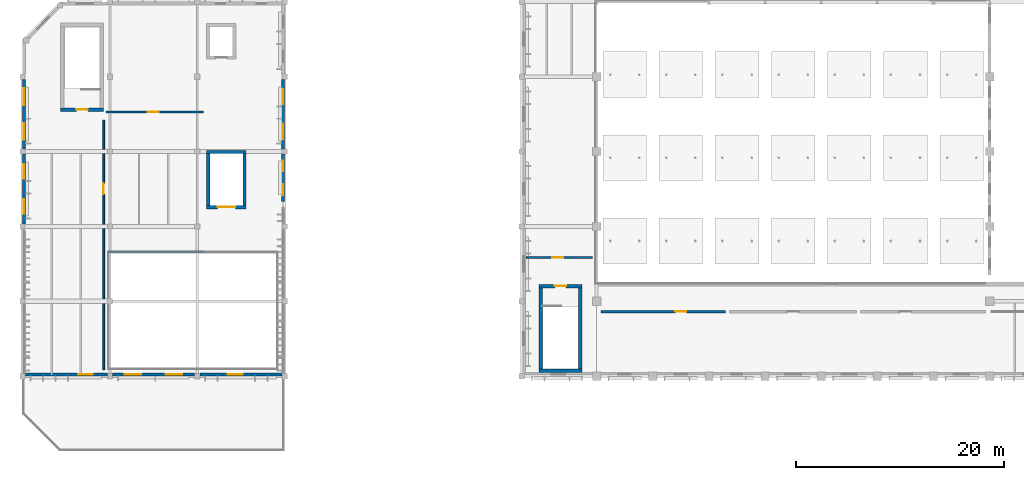
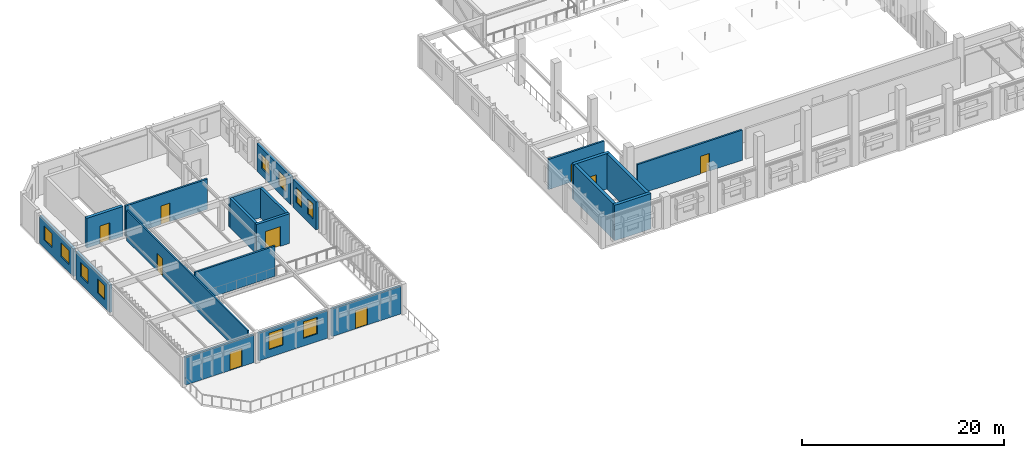
# One storey, part 19 of 44: 21 walls, 10 windows, 9 doors, 19 openings.
"""IFC4 building model written with IfcOpenShell, lengths in metres."""

from ifc_helpers import new_model, si_unit, direction, frame, frame_2d, origin, place, context, subcontext, project, spatial, rectangle, extrude, material, layer, layer_set, type_object, element, fill, save


model = new_model("IFC4")

# Units and contexts
model_context = context("Model", 3, precision=1e-05, world=origin(), true_north=direction((0.0, 1.0)))
body_context = subcontext(model_context, "Body", "Model", "MODEL_VIEW")
ifc_project = project(units=[si_unit("LENGTHUNIT", "METRE"), si_unit("AREAUNIT", "SQUARE_METRE"), si_unit("VOLUMEUNIT", "CUBIC_METRE"), si_unit("PLANEANGLEUNIT", "RADIAN"), si_unit("MASSUNIT", "GRAM", prefix="KILO")], contexts=[model_context])

# Site, building, storey
site_placement = place(None, origin())
site = spatial("IfcSite", under=ifc_project, at=site_placement, CompositionType="ELEMENT")
building_placement = place(site_placement, origin())
building = spatial("IfcBuilding", under=site, at=building_placement, Name="Tazoul Stagehouse", CompositionType="ELEMENT")
storey_placement = place(building_placement, frame((0.0, 0.0, 13.199951171875)))
storey = spatial("IfcBuildingStorey", under=building, at=storey_placement, Name="L03", CompositionType="ELEMENT", Elevation=13.199951171875)

# Walls
ifc_material_1 = material(Name="Concrete C40/50", Category="concrete")
ifc_layer_1 = layer(ifc_material_1, 0.35009765625, Name="Concrete C40/50")
ifc_layer_set_1 = layer_set([ifc_layer_1], Name="Concrete C40/50")
wall_type_1 = type_object("IfcWallType", Name="Core Shear Wall 350", PredefinedType="SOLIDWALL", material=ifc_layer_set_1)
wall_1_placement = place(storey_placement, frame((56.199951171875, 52.31494140625, 0.0), z_axis=(0.0, 0.0, 1.0), x_axis=(-1.0, 0.0, 0.0)))
element("IfcWall", 1, at=wall_1_placement, inside=storey, type_object=wall_type_1, Name="L03 Core Wall CW-350 (SHF-ST-05-south)", PredefinedType="SOLIDWALL", context=body_context, shape_type="SweptSolid", body=[
    extrude(rectangle(XDim=4.14990234375, YDim=0.35009765625, at=frame_2d((2.074951171875, 0.0))), origin(), (0.0, 0.0, 1.0), 4.300048828125),
])
wall_2_placement = place(storey_placement, frame((52.22509765625, 52.489990234375, 0.0), z_axis=(0.0, 0.0, 1.0), x_axis=(0.0, 1.0, 0.0)))
element("IfcWall", 2, at=wall_2_placement, inside=storey, type_object=wall_type_1, Name="L03 Core Wall CW-350 (SHF-ST-05-west)", PredefinedType="SOLIDWALL", context=body_context, shape_type="SweptSolid", body=[
    extrude(rectangle(XDim=7.800048828125, YDim=0.35009765625, at=frame_2d((3.89990234375, 0.0))), origin(), (0.0, 0.0, 1.0), 4.300048828125),
])

# Wall, opening, door
wall_3_placement = place(storey_placement, frame((52.050048828125, 60.465087890625, 0.0), z_axis=(0.0, 0.0, 1.0), x_axis=(1.0, 0.0, 0.0)))
wall_3 = element("IfcWall", 3, at=wall_3_placement, inside=storey, type_object=wall_type_1, Name="L03 Core Wall CW-350 (SHF-ST-05-north)", PredefinedType="SOLIDWALL", context=body_context, shape_type="SweptSolid", body=[
    extrude(rectangle(XDim=4.14990234375, YDim=0.35009765625, at=frame_2d((2.074951171875, 0.0))), origin(), (0.0, 0.0, 1.0), 4.300048828125),
])
opening_1_placement = place(wall_3_placement, frame((1.52490234375, 0.0, 0.0)))
opening_1 = element("IfcOpeningElement", 4, at=opening_1_placement, cuts=wall_3, Name="Opening FD-01", PredefinedType="OPENING", context=body_context, shape_type="SweptSolid", body=[
    extrude(rectangle(XDim=1.10009765625, YDim=2.14990234375, at=frame_2d((0.550048828125, 1.074951171875))), frame((0.0, 0.195068359375, 0.0), z_axis=(0.0, -1.0, 0.0), x_axis=(1.0, 0.0, 0.0)), (0.0, 0.0, 1.0), 0.39013671875),
])
ifc_material_2 = material(Name="Powder-Coated Galvanised Acoustic Steel", Category="steel")
door_type_1 = type_object("IfcDoorType", Name="Core Escape Stair Fire Door 1100x2150", OperationType="NOTDEFINED", PredefinedType="DOOR", material=ifc_material_2)
door_1_placement = place(opening_1_placement, origin())
door_1 = element("IfcDoor", 5, at=door_1_placement, inside=storey, type_object=door_type_1, Name="L03 Escape Stair Fire Door FD-01 (ST-05)", OperationType="SINGLE_SWING_LEFT", OverallHeight=2.14990234375, OverallWidth=1.10009765625, PredefinedType="DOOR", context=body_context, shape_type="SweptSolid", body=[
    extrude(rectangle(XDim=1.10009765625, YDim=2.14990234375, at=frame_2d((0.550048828125, 1.074951171875))), frame((0.0, 0.02490234375, 0.0), z_axis=(0.0, -1.0, 0.0), x_axis=(1.0, 0.0, 0.0)), (0.0, 0.0, 1.0), 0.050048828125),
])
fill(opening_1, door_1)

# Wall
wall_4_placement = place(storey_placement, frame((56.02490234375, 60.2900390625, 0.0), z_axis=(0.0, 0.0, 1.0), x_axis=(0.0, -1.0, 0.0)))
element("IfcWall", 6, at=wall_4_placement, inside=storey, type_object=wall_type_1, Name="L03 Core Wall CW-350 (SHF-ST-05-east)", PredefinedType="SOLIDWALL", context=body_context, shape_type="SweptSolid", body=[
    extrude(rectangle(XDim=7.800048828125, YDim=0.35009765625, at=frame_2d((3.89990234375, 0.0))), origin(), (0.0, 0.0, 1.0), 4.300048828125),
])

# Wall, opening, door
wall_5_placement = place(storey_placement, frame((10.199951171875, 77.425048828125, 0.0), z_axis=(0.0, 0.0, 1.0), x_axis=(-1.0, 0.0, 0.0)))
wall_5 = element("IfcWall", 7, at=wall_5_placement, inside=storey, type_object=wall_type_1, Name="L03 Core Wall CW-350 (SHF-ST-06-south)", PredefinedType="SOLIDWALL", context=body_context, shape_type="SweptSolid", body=[
    extrude(rectangle(XDim=4.14990234375, YDim=0.35009765625, at=frame_2d((2.074951171875, 0.0))), origin(), (0.0, 0.0, 1.0), 3.60009765625),
])
opening_2_placement = place(wall_5_placement, frame((1.52490234375, 0.0, 0.0)))
opening_2 = element("IfcOpeningElement", 8, at=opening_2_placement, cuts=wall_5, Name="Opening FD-01", PredefinedType="OPENING", context=body_context, shape_type="SweptSolid", body=[
    extrude(rectangle(XDim=1.10009765625, YDim=2.14990234375, at=frame_2d((0.550048828125, 1.074951171875))), frame((0.0, 0.195068359375, 0.0), z_axis=(0.0, -1.0, 0.0), x_axis=(1.0, 0.0, 0.0)), (0.0, 0.0, 1.0), 0.39013671875),
])
door_2_placement = place(opening_2_placement, origin())
door_2 = element("IfcDoor", 9, at=door_2_placement, inside=storey, type_object=door_type_1, Name="L03 Escape Stair Fire Door FD-01 (ST-06)", OperationType="SINGLE_SWING_LEFT", OverallHeight=2.14990234375, OverallWidth=1.10009765625, PredefinedType="DOOR", context=body_context, shape_type="SweptSolid", body=[
    extrude(rectangle(XDim=1.10009765625, YDim=2.14990234375, at=frame_2d((0.550048828125, 1.074951171875))), frame((0.0, 0.02490234375, 0.0), z_axis=(0.0, -1.0, 0.0), x_axis=(1.0, 0.0, 0.0)), (0.0, 0.0, 1.0), 0.050048828125),
])
fill(opening_2, door_2)

ifc_material_3 = material(Name="Gypsum Acoustic Partition", Category="gypsum")
ifc_layer_2 = layer(ifc_material_3, 0.169921875, Name="Gypsum Acoustic Partition")
ifc_layer_set_2 = layer_set([ifc_layer_2], Name="Gypsum Acoustic Partition")
wall_type_2 = type_object("IfcWallType", Name="Corridor Fire-Rated Partition 170", PredefinedType="PARTITIONING", material=ifc_layer_set_2)
wall_6_placement = place(storey_placement, frame((10.199951171875, 76.39990234375, 0.0), z_axis=(0.0, 0.0, 1.0), x_axis=(0.0, -1.0, 0.0)))
wall_6 = element("IfcWall", 10, at=wall_6_placement, inside=storey, type_object=wall_type_2, Name="L03 Partition PW-170 (PW-RM-L03-083-E)", PredefinedType="PARTITIONING", context=body_context, shape_type="SweptSolid", body=[
    extrude(rectangle(XDim=24.0, YDim=0.169921875, at=frame_2d((12.0, 0.0))), origin(), (0.0, 0.0, 1.0), 3.66015625),
])
opening_3_placement = place(wall_6_placement, frame((6.0361328125, 0.0, 0.0)))
opening_3 = element("IfcOpeningElement", 11, at=opening_3_placement, cuts=wall_6, Name="Opening ID-07", PredefinedType="OPENING", context=body_context, shape_type="SweptSolid", body=[
    extrude(rectangle(XDim=1.050048828125, YDim=2.14990234375, at=frame_2d((0.52490234375, 1.074951171875))), frame((0.0, 0.10498046875, 0.0), z_axis=(0.0, -1.0, 0.0), x_axis=(1.0, 0.0, 0.0)), (0.0, 0.0, 1.0), 0.2099609375),
])
ifc_material_4 = material(Name="Acoustic Cedar Timber", Category="wood")
door_type_2 = type_object("IfcDoorType", Name="Control Room Sound-Lock Door 1050x2150", OperationType="NOTDEFINED", PredefinedType="DOOR", material=ifc_material_4)
door_3_placement = place(opening_3_placement, origin())
door_3 = element("IfcDoor", 12, at=door_3_placement, inside=storey, type_object=door_type_2, Name="L03 Black-Box Technical Catwalk Control Room Door", OperationType="SINGLE_SWING_LEFT", OverallHeight=2.14990234375, OverallWidth=1.050048828125, PredefinedType="DOOR", context=body_context, shape_type="SweptSolid", body=[
    extrude(rectangle(XDim=1.050048828125, YDim=2.14990234375, at=frame_2d((0.52490234375, 1.074951171875))), frame((0.0, 0.02490234375, 0.0), z_axis=(0.0, -1.0, 0.0), x_axis=(1.0, 0.0, 0.0)), (0.0, 0.0, 1.0), 0.050048828125),
])
fill(opening_3, door_3)

ifc_material_5 = material(Name="Precast concrete C40/50", Category="concrete")
ifc_layer_3 = layer(ifc_material_5, 0.280029296875, Name="Precast concrete C40/50")
ifc_layer_set_3 = layer_set([ifc_layer_3], Name="Precast concrete C40/50")
wall_type_3 = type_object("IfcWallType", Name="Insulated Precast Acoustic Cladding Wall 280", PredefinedType="SOLIDWALL", material=ifc_layer_set_3)
wall_7_placement = place(storey_placement, frame((2.655029296875, 51.949951171875, 0.0), z_axis=(0.0, 0.0, 1.0), x_axis=(1.0, 0.0, 0.0)))
wall_7 = element("IfcWall", 13, at=wall_7_placement, inside=storey, type_object=wall_type_3, Name="L03 Wall EW-280 (WALL-V6-L03-TER-S1)", PredefinedType="SOLIDWALL", context=body_context, shape_type="SweptSolid", body=[
    extrude(rectangle(XDim=7.889892578125, YDim=0.280029296875, at=frame_2d((3.94482421875, 0.0))), origin(), (0.0, 0.0, 1.0), 3.35302734375),
])
opening_4_placement = place(wall_7_placement, frame((5.094970703125, 0.0, 0.0)))
opening_4 = element("IfcOpeningElement", 14, at=opening_4_placement, cuts=wall_7, Name="Opening TD-04", PredefinedType="OPENING", context=body_context, shape_type="SweptSolid", body=[
    extrude(rectangle(XDim=1.39990234375, YDim=2.199951171875, at=frame_2d((0.699951171875, 1.10009765625))), frame((0.0, 0.159912109375, 0.0), z_axis=(0.0, -1.0, 0.0), x_axis=(1.0, 0.0, 0.0)), (0.0, 0.0, 1.0), 0.320068359375),
])
ifc_material_6 = material(Name="Double Low-E Acoustic Laminated Glass", Category="glass")
door_type_3 = type_object("IfcDoorType", Name="Belvedere Terrace Glazed Door 1400x2200", OperationType="SINGLE_SWING_LEFT", PredefinedType="DOOR", material=ifc_material_6)
door_4_placement = place(opening_4_placement, origin())
door_4 = element("IfcDoor", 15, at=door_4_placement, inside=storey, type_object=door_type_3, Name="L03 Door TD-04 (DR-V6-L03-TER1)", OperationType="SINGLE_SWING_LEFT", OverallHeight=2.199951171875, OverallWidth=1.39990234375, PredefinedType="DOOR", context=body_context, shape_type="SweptSolid", body=[
    extrude(rectangle(XDim=1.39990234375, YDim=2.199951171875, at=frame_2d((0.699951171875, 1.10009765625))), frame((0.0, 0.02490234375, 0.0), z_axis=(0.0, -1.0, 0.0), x_axis=(1.0, 0.0, 0.0)), (0.0, 0.0, 1.0), 0.050048828125),
])
fill(opening_4, door_4)

# Wall, openings, windows
wall_8_placement = place(storey_placement, frame((11.054931640625, 51.949951171875, 0.0), z_axis=(0.0, 0.0, 1.0), x_axis=(1.0, 0.0, 0.0)))
wall_8 = element("IfcWall", 16, at=wall_8_placement, inside=storey, type_object=wall_type_3, Name="L03 Wall EW-280 (WALL-V6-L03-TER-S2)", PredefinedType="SOLIDWALL", context=body_context, shape_type="SweptSolid", body=[
    extrude(rectangle(XDim=7.89013671875, YDim=0.280029296875, at=frame_2d((3.945068359375, 0.0))), origin(), (0.0, 0.0, 1.0), 3.35302734375),
])
opening_5_placement = place(wall_8_placement, frame((1.177490234375, 0.0, 0.949951171875)))
opening_5 = element("IfcOpeningElement", 17, at=opening_5_placement, cuts=wall_8, Name="Opening WN-81", PredefinedType="OPENING", context=body_context, shape_type="SweptSolid", body=[
    extrude(rectangle(XDim=1.590087890625, YDim=2.0, at=frame_2d((0.794921875, 1.0))), frame((0.0, 0.159912109375, 0.0), z_axis=(0.0, -1.0, 0.0), x_axis=(1.0, 0.0, 0.0)), (0.0, 0.0, 1.0), 0.320068359375),
])
opening_6_placement = place(wall_8_placement, frame((5.12255859375, 0.0, 0.949951171875)))
opening_6 = element("IfcOpeningElement", 18, at=opening_6_placement, cuts=wall_8, Name="Opening WN-81", PredefinedType="OPENING", context=body_context, shape_type="SweptSolid", body=[
    extrude(rectangle(XDim=1.590087890625, YDim=2.0, at=frame_2d((0.794921875, 1.0))), frame((0.0, 0.159912109375, 0.0), z_axis=(0.0, -1.0, 0.0), x_axis=(1.0, 0.0, 0.0)), (0.0, 0.0, 1.0), 0.320068359375),
])
window_type_1 = type_object("IfcWindowType", Name="Architectural Acoustic Facade Window 1590x2000", PartitioningType="SINGLE_PANEL", PredefinedType="WINDOW", material=ifc_material_6)
window_1_placement = place(opening_5_placement, origin())
window_1 = element("IfcWindow", 19, at=window_1_placement, inside=storey, type_object=window_type_1, Name="L03 Window WN-81 (WALL-V6-L03-TER-S2-W1)", OverallHeight=2.0, OverallWidth=1.590087890625, PartitioningType="SINGLE_PANEL", PredefinedType="WINDOW", context=body_context, shape_type="SweptSolid", body=[
    extrude(rectangle(XDim=1.590087890625, YDim=2.0, at=frame_2d((0.794921875, 1.0))), frame((0.0, 0.030029296875, 0.0), z_axis=(0.0, -1.0, 0.0), x_axis=(1.0, 0.0, 0.0)), (0.0, 0.0, 1.0), 0.06005859375),
])
fill(opening_5, window_1)
window_2_placement = place(opening_6_placement, origin())
window_2 = element("IfcWindow", 20, at=window_2_placement, inside=storey, type_object=window_type_1, Name="L03 Window WN-81 (WALL-V6-L03-TER-S2-W2)", OverallHeight=2.0, OverallWidth=1.590087890625, PartitioningType="SINGLE_PANEL", PredefinedType="WINDOW", context=body_context, shape_type="SweptSolid", body=[
    extrude(rectangle(XDim=1.590087890625, YDim=2.0, at=frame_2d((0.794921875, 1.0))), frame((0.0, 0.030029296875, 0.0), z_axis=(0.0, -1.0, 0.0), x_axis=(1.0, 0.0, 0.0)), (0.0, 0.0, 1.0), 0.06005859375),
])
fill(opening_6, window_2)

# Wall, opening, door
wall_9_placement = place(storey_placement, frame((19.455078125, 51.949951171875, 0.0), z_axis=(0.0, 0.0, 1.0), x_axis=(1.0, 0.0, 0.0)))
wall_9 = element("IfcWall", 21, at=wall_9_placement, inside=storey, type_object=wall_type_3, Name="L03 Wall EW-280 (WALL-V6-L03-TER-S3)", PredefinedType="SOLIDWALL", context=body_context, shape_type="SweptSolid", body=[
    extrude(rectangle(XDim=7.889892578125, YDim=0.280029296875, at=frame_2d((3.94482421875, 0.0))), origin(), (0.0, 0.0, 1.0), 3.35302734375),
])
opening_7_placement = place(wall_9_placement, frame((2.695068359375, 0.0, 0.0)))
opening_7 = element("IfcOpeningElement", 22, at=opening_7_placement, cuts=wall_9, Name="Opening TD-04", PredefinedType="OPENING", context=body_context, shape_type="SweptSolid", body=[
    extrude(rectangle(XDim=1.39990234375, YDim=2.199951171875, at=frame_2d((0.699951171875, 1.10009765625))), frame((0.0, 0.159912109375, 0.0), z_axis=(0.0, -1.0, 0.0), x_axis=(1.0, 0.0, 0.0)), (0.0, 0.0, 1.0), 0.320068359375),
])
door_5_placement = place(opening_7_placement, origin())
door_5 = element("IfcDoor", 23, at=door_5_placement, inside=storey, type_object=door_type_3, Name="L03 Door TD-04 (DR-V6-L03-TER2)", OperationType="SINGLE_SWING_RIGHT", OverallHeight=2.199951171875, OverallWidth=1.39990234375, PredefinedType="DOOR", context=body_context, shape_type="SweptSolid", body=[
    extrude(rectangle(XDim=1.39990234375, YDim=2.199951171875, at=frame_2d((0.699951171875, 1.10009765625))), frame((0.0, 0.02490234375, 0.0), z_axis=(0.0, -1.0, 0.0), x_axis=(1.0, 0.0, 0.0)), (0.0, 0.0, 1.0), 0.050048828125),
])
fill(opening_7, door_5)

# Wall, openings, windows
wall_10_placement = place(storey_placement, frame((2.550048828125, 66.455078125, 0.0), z_axis=(0.0, 0.0, 1.0), x_axis=(0.0, 1.0, 0.0)))
wall_10 = element("IfcWall", 24, at=wall_10_placement, inside=storey, type_object=wall_type_3, Name="L03 Wall EW-280 (WALL-V6-W2-L03-S1)", PredefinedType="SOLIDWALL", context=body_context, shape_type="SweptSolid", body=[
    extrude(rectangle(XDim=6.68994140625, YDim=0.280029296875, at=frame_2d((3.344970703125, 0.0))), origin(), (0.0, 0.0, 1.0), 3.373046875),
])
opening_8_placement = place(wall_10_placement, frame((0.967529296875, 0.0, 0.949951171875)))
opening_8 = element("IfcOpeningElement", 25, at=opening_8_placement, cuts=wall_10, Name="Opening WN-50", PredefinedType="OPENING", context=body_context, shape_type="SweptSolid", body=[
    extrude(rectangle(XDim=1.409912109375, YDim=1.699951171875, at=frame_2d((0.705078125, 0.85009765625))), frame((0.0, 0.159912109375, 0.0), z_axis=(0.0, -1.0, 0.0), x_axis=(1.0, 0.0, 0.0)), (0.0, 0.0, 1.0), 0.320068359375),
])
opening_9_placement = place(wall_10_placement, frame((4.3125, 0.0, 0.949951171875)))
opening_9 = element("IfcOpeningElement", 26, at=opening_9_placement, cuts=wall_10, Name="Opening WN-50", PredefinedType="OPENING", context=body_context, shape_type="SweptSolid", body=[
    extrude(rectangle(XDim=1.409912109375, YDim=1.699951171875, at=frame_2d((0.705078125, 0.85009765625))), frame((0.0, 0.159912109375, 0.0), z_axis=(0.0, -1.0, 0.0), x_axis=(1.0, 0.0, 0.0)), (0.0, 0.0, 1.0), 0.320068359375),
])
window_type_2 = type_object("IfcWindowType", Name="Architectural Acoustic Facade Window 1410x1700", PartitioningType="SINGLE_PANEL", PredefinedType="WINDOW", material=ifc_material_6)
window_3_placement = place(opening_8_placement, origin())
window_3 = element("IfcWindow", 27, at=window_3_placement, inside=storey, type_object=window_type_2, Name="L03 Window WN-50 (WALL-V6-W2-L03-S1-W1)", OverallHeight=1.699951171875, OverallWidth=1.409912109375, PartitioningType="SINGLE_PANEL", PredefinedType="WINDOW", context=body_context, shape_type="SweptSolid", body=[
    extrude(rectangle(XDim=1.409912109375, YDim=1.699951171875, at=frame_2d((0.705078125, 0.85009765625))), frame((0.0, 0.030029296875, 0.0), z_axis=(0.0, -1.0, 0.0), x_axis=(1.0, 0.0, 0.0)), (0.0, 0.0, 1.0), 0.06005859375),
])
fill(opening_8, window_3)
window_4_placement = place(opening_9_placement, origin())
window_4 = element("IfcWindow", 28, at=window_4_placement, inside=storey, type_object=window_type_2, Name="L03 Window WN-50 (WALL-V6-W2-L03-S1-W2)", OverallHeight=1.699951171875, OverallWidth=1.409912109375, PartitioningType="SINGLE_PANEL", PredefinedType="WINDOW", context=body_context, shape_type="SweptSolid", body=[
    extrude(rectangle(XDim=1.409912109375, YDim=1.699951171875, at=frame_2d((0.705078125, 0.85009765625))), frame((0.0, 0.030029296875, 0.0), z_axis=(0.0, -1.0, 0.0), x_axis=(1.0, 0.0, 0.0)), (0.0, 0.0, 1.0), 0.06005859375),
])
fill(opening_9, window_4)

wall_11_placement = place(storey_placement, frame((2.550048828125, 73.655029296875, 0.0), z_axis=(0.0, 0.0, 1.0), x_axis=(0.0, 1.0, 0.0)))
wall_11 = element("IfcWall", 29, at=wall_11_placement, inside=storey, type_object=wall_type_3, Name="L03 Wall EW-280 (WALL-V6-W2-L03-S2)", PredefinedType="SOLIDWALL", context=body_context, shape_type="SweptSolid", body=[
    extrude(rectangle(XDim=6.68994140625, YDim=0.280029296875, at=frame_2d((3.344970703125, 0.0))), origin(), (0.0, 0.0, 1.0), 3.373046875),
])
opening_10_placement = place(wall_11_placement, frame((0.87255859375, 0.0, 0.949951171875)))
opening_10 = element("IfcOpeningElement", 30, at=opening_10_placement, cuts=wall_11, Name="Opening WN-25", PredefinedType="OPENING", context=body_context, shape_type="SweptSolid", body=[
    extrude(rectangle(XDim=1.60009765625, YDim=1.699951171875, at=frame_2d((0.800048828125, 0.85009765625))), frame((0.0, 0.159912109375, 0.0), z_axis=(0.0, -1.0, 0.0), x_axis=(1.0, 0.0, 0.0)), (0.0, 0.0, 1.0), 0.320068359375),
])
opening_11_placement = place(wall_11_placement, frame((4.217529296875, 0.0, 0.949951171875)))
opening_11 = element("IfcOpeningElement", 31, at=opening_11_placement, cuts=wall_11, Name="Opening WN-25", PredefinedType="OPENING", context=body_context, shape_type="SweptSolid", body=[
    extrude(rectangle(XDim=1.60009765625, YDim=1.699951171875, at=frame_2d((0.800048828125, 0.85009765625))), frame((0.0, 0.159912109375, 0.0), z_axis=(0.0, -1.0, 0.0), x_axis=(1.0, 0.0, 0.0)), (0.0, 0.0, 1.0), 0.320068359375),
])
window_type_3 = type_object("IfcWindowType", Name="Rehearsal Daylight Window 1600x1700", PartitioningType="SINGLE_PANEL", PredefinedType="WINDOW", material=ifc_material_6)
window_5_placement = place(opening_10_placement, origin())
window_5 = element("IfcWindow", 32, at=window_5_placement, inside=storey, type_object=window_type_3, Name="L03 Window WN-25 (WALL-V6-W2-L03-S2-W1)", OverallHeight=1.699951171875, OverallWidth=1.60009765625, PartitioningType="SINGLE_PANEL", PredefinedType="WINDOW", context=body_context, shape_type="SweptSolid", body=[
    extrude(rectangle(XDim=1.60009765625, YDim=1.699951171875, at=frame_2d((0.800048828125, 0.85009765625))), frame((0.0, 0.030029296875, 0.0), z_axis=(0.0, -1.0, 0.0), x_axis=(1.0, 0.0, 0.0)), (0.0, 0.0, 1.0), 0.06005859375),
])
fill(opening_10, window_5)
window_6_placement = place(opening_11_placement, origin())
window_6 = element("IfcWindow", 33, at=window_6_placement, inside=storey, type_object=window_type_3, Name="L03 Window WN-25 (WALL-V6-W2-L03-S2-W2)", OverallHeight=1.699951171875, OverallWidth=1.60009765625, PartitioningType="SINGLE_PANEL", PredefinedType="WINDOW", context=body_context, shape_type="SweptSolid", body=[
    extrude(rectangle(XDim=1.60009765625, YDim=1.699951171875, at=frame_2d((0.800048828125, 0.85009765625))), frame((0.0, 0.030029296875, 0.0), z_axis=(0.0, -1.0, 0.0), x_axis=(1.0, 0.0, 0.0)), (0.0, 0.0, 1.0), 0.06005859375),
])
fill(opening_11, window_6)

wall_12_placement = place(storey_placement, frame((27.449951171875, 68.60009765625, 0.0), z_axis=(0.0, 0.0, 1.0), x_axis=(0.0, 1.0, 0.0)))
wall_12 = element("IfcWall", 34, at=wall_12_placement, inside=storey, type_object=wall_type_3, Name="L03 Wall EW-280 (WALL-V6-E2-L03-S1)", PredefinedType="SOLIDWALL", context=body_context, shape_type="SweptSolid", body=[
    extrude(rectangle(XDim=4.544921875, YDim=0.280029296875, at=frame_2d((2.2724609375, 0.0))), origin(), (0.0, 0.0, 1.0), 3.373046875),
])
opening_12_placement = place(wall_12_placement, frame((0.611328125, 0.0, 0.949951171875)))
opening_12 = element("IfcOpeningElement", 35, at=opening_12_placement, cuts=wall_12, Name="Opening WN-20", PredefinedType="OPENING", context=body_context, shape_type="SweptSolid", body=[
    extrude(rectangle(XDim=1.050048828125, YDim=1.85009765625, at=frame_2d((0.52490234375, 0.925048828125))), frame((0.0, 0.159912109375, 0.0), z_axis=(0.0, -1.0, 0.0), x_axis=(1.0, 0.0, 0.0)), (0.0, 0.0, 1.0), 0.320068359375),
])
opening_13_placement = place(wall_12_placement, frame((2.8837890625, 0.0, 0.949951171875)))
opening_13 = element("IfcOpeningElement", 36, at=opening_13_placement, cuts=wall_12, Name="Opening WN-20", PredefinedType="OPENING", context=body_context, shape_type="SweptSolid", body=[
    extrude(rectangle(XDim=1.050048828125, YDim=1.85009765625, at=frame_2d((0.52490234375, 0.925048828125))), frame((0.0, 0.159912109375, 0.0), z_axis=(0.0, -1.0, 0.0), x_axis=(1.0, 0.0, 0.0)), (0.0, 0.0, 1.0), 0.320068359375),
])
window_type_4 = type_object("IfcWindowType", Name="Studio Drum Acoustic Window 1050x1850", PartitioningType="SINGLE_PANEL", PredefinedType="WINDOW", material=ifc_material_6)
window_7_placement = place(opening_12_placement, origin())
window_7 = element("IfcWindow", 37, at=window_7_placement, inside=storey, type_object=window_type_4, Name="L03 Window WN-20 (WALL-V6-E2-L03-S1-W1)", OverallHeight=1.85009765625, OverallWidth=1.050048828125, PartitioningType="SINGLE_PANEL", PredefinedType="WINDOW", context=body_context, shape_type="SweptSolid", body=[
    extrude(rectangle(XDim=1.050048828125, YDim=1.85009765625, at=frame_2d((0.52490234375, 0.925048828125))), frame((0.0, 0.030029296875, 0.0), z_axis=(0.0, -1.0, 0.0), x_axis=(1.0, 0.0, 0.0)), (0.0, 0.0, 1.0), 0.06005859375),
])
fill(opening_12, window_7)
window_8_placement = place(opening_13_placement, origin())
window_8 = element("IfcWindow", 38, at=window_8_placement, inside=storey, type_object=window_type_4, Name="L03 Window WN-20 (WALL-V6-E2-L03-S1-W2)", OverallHeight=1.85009765625, OverallWidth=1.050048828125, PartitioningType="SINGLE_PANEL", PredefinedType="WINDOW", context=body_context, shape_type="SweptSolid", body=[
    extrude(rectangle(XDim=1.050048828125, YDim=1.85009765625, at=frame_2d((0.52490234375, 0.925048828125))), frame((0.0, 0.030029296875, 0.0), z_axis=(0.0, -1.0, 0.0), x_axis=(1.0, 0.0, 0.0)), (0.0, 0.0, 1.0), 0.06005859375),
])
fill(opening_13, window_8)

wall_13_placement = place(storey_placement, frame((27.449951171875, 73.655029296875, 0.0), z_axis=(0.0, 0.0, 1.0), x_axis=(0.0, 1.0, 0.0)))
wall_13 = element("IfcWall", 39, at=wall_13_placement, inside=storey, type_object=wall_type_3, Name="L03 Wall EW-280 (WALL-V6-E2-L03-S2)", PredefinedType="SOLIDWALL", context=body_context, shape_type="SweptSolid", body=[
    extrude(rectangle(XDim=6.68994140625, YDim=0.280029296875, at=frame_2d((3.344970703125, 0.0))), origin(), (0.0, 0.0, 1.0), 3.373046875),
])
opening_14_placement = place(wall_13_placement, frame((0.9375, 0.0, 0.949951171875)))
opening_14 = element("IfcOpeningElement", 40, at=opening_14_placement, cuts=wall_13, Name="Opening WN-52", PredefinedType="OPENING", context=body_context, shape_type="SweptSolid", body=[
    extrude(rectangle(XDim=1.469970703125, YDim=1.699951171875, at=frame_2d((0.73486328125, 0.85009765625))), frame((0.0, 0.159912109375, 0.0), z_axis=(0.0, -1.0, 0.0), x_axis=(1.0, 0.0, 0.0)), (0.0, 0.0, 1.0), 0.320068359375),
])
opening_15_placement = place(wall_13_placement, frame((4.282470703125, 0.0, 0.949951171875)))
opening_15 = element("IfcOpeningElement", 41, at=opening_15_placement, cuts=wall_13, Name="Opening WN-52", PredefinedType="OPENING", context=body_context, shape_type="SweptSolid", body=[
    extrude(rectangle(XDim=1.469970703125, YDim=1.699951171875, at=frame_2d((0.73486328125, 0.85009765625))), frame((0.0, 0.159912109375, 0.0), z_axis=(0.0, -1.0, 0.0), x_axis=(1.0, 0.0, 0.0)), (0.0, 0.0, 1.0), 0.320068359375),
])
window_type_5 = type_object("IfcWindowType", Name="Architectural Acoustic Facade Window 1470x1700", PartitioningType="SINGLE_PANEL", PredefinedType="WINDOW", material=ifc_material_6)
window_9_placement = place(opening_14_placement, origin())
window_9 = element("IfcWindow", 42, at=window_9_placement, inside=storey, type_object=window_type_5, Name="L03 Window WN-52 (WALL-V6-E2-L03-S2-W1)", OverallHeight=1.699951171875, OverallWidth=1.469970703125, PartitioningType="SINGLE_PANEL", PredefinedType="WINDOW", context=body_context, shape_type="SweptSolid", body=[
    extrude(rectangle(XDim=1.469970703125, YDim=1.699951171875, at=frame_2d((0.73486328125, 0.85009765625))), frame((0.0, 0.030029296875, 0.0), z_axis=(0.0, -1.0, 0.0), x_axis=(1.0, 0.0, 0.0)), (0.0, 0.0, 1.0), 0.06005859375),
])
fill(opening_14, window_9)
window_10_placement = place(opening_15_placement, origin())
window_10 = element("IfcWindow", 43, at=window_10_placement, inside=storey, type_object=window_type_5, Name="L03 Window WN-52 (WALL-V6-E2-L03-S2-W2)", OverallHeight=1.699951171875, OverallWidth=1.469970703125, PartitioningType="SINGLE_PANEL", PredefinedType="WINDOW", context=body_context, shape_type="SweptSolid", body=[
    extrude(rectangle(XDim=1.469970703125, YDim=1.699951171875, at=frame_2d((0.73486328125, 0.85009765625))), frame((0.0, 0.030029296875, 0.0), z_axis=(0.0, -1.0, 0.0), x_axis=(1.0, 0.0, 0.0)), (0.0, 0.0, 1.0), 0.06005859375),
])
fill(opening_15, window_10)

# Wall, opening, door
ifc_layer_4 = layer(ifc_material_1, 0.300048828125, Name="Concrete C40/50")
ifc_layer_set_4 = layer_set([ifc_layer_4], Name="Concrete C40/50")
wall_type_4 = type_object("IfcWallType", Name="Lift Shaft Wall 300", PredefinedType="SOLIDWALL", material=ifc_layer_set_4)
wall_14_placement = place(storey_placement, frame((23.89990234375, 68.050048828125, 0.0), z_axis=(0.0, 0.0, 1.0), x_axis=(-1.0, 0.0, 0.0)))
wall_14 = element("IfcWall", 44, at=wall_14_placement, inside=storey, type_object=wall_type_4, Name="L03 Core Wall CW-300 (LSHF-GL-02-south)", PredefinedType="SOLIDWALL", context=body_context, shape_type="SweptSolid", body=[
    extrude(rectangle(XDim=3.7998046875, YDim=0.300048828125, at=frame_2d((1.89990234375, 0.0))), origin(), (0.0, 0.0, 1.0), 3.60009765625),
])
opening_16_placement = place(wall_14_placement, frame((1.050048828125, 0.0, 0.0)))
opening_16 = element("IfcOpeningElement", 45, at=opening_16_placement, cuts=wall_14, Name="Opening LD-08", PredefinedType="OPENING", context=body_context, shape_type="SweptSolid", body=[
    extrude(rectangle(XDim=1.699951171875, YDim=2.39990234375, at=frame_2d((0.85009765625, 1.199951171875))), frame((0.0, 0.169921875, 0.0), z_axis=(0.0, -1.0, 0.0), x_axis=(1.0, 0.0, 0.0)), (0.0, 0.0, 1.0), 0.340087890625),
])
door_type_4 = type_object("IfcDoorType", Name="Black-Box Goods Lift Sliding Door 1700x2400", OperationType="DOUBLE_DOOR_SLIDING", PredefinedType="DOOR", material=ifc_material_2)
door_6_placement = place(opening_16_placement, origin())
door_6 = element("IfcDoor", 46, at=door_6_placement, inside=storey, type_object=door_type_4, Name="L03 Lift Landing Sliding Door LD-08 (GL-02)", OperationType="DOUBLE_DOOR_SLIDING", OverallHeight=2.39990234375, OverallWidth=1.699951171875, PredefinedType="DOOR", context=body_context, shape_type="SweptSolid", body=[
    extrude(rectangle(XDim=1.699951171875, YDim=2.39990234375, at=frame_2d((0.85009765625, 1.199951171875))), frame((0.0, 0.02490234375, 0.0), z_axis=(0.0, -1.0, 0.0), x_axis=(1.0, 0.0, 0.0)), (0.0, 0.0, 1.0), 0.050048828125),
])
fill(opening_16, door_6)

# Walls
wall_15_placement = place(storey_placement, frame((20.25, 68.199951171875, 0.0), z_axis=(0.0, 0.0, 1.0), x_axis=(0.0, 1.0, 0.0)))
element("IfcWall", 47, at=wall_15_placement, inside=storey, type_object=wall_type_4, Name="L03 Core Wall CW-300 (LSHF-GL-02-west)", PredefinedType="SOLIDWALL", context=body_context, shape_type="SweptSolid", body=[
    extrude(rectangle(XDim=5.0, YDim=0.300048828125, at=frame_2d((2.5, 0.0))), origin(), (0.0, 0.0, 1.0), 3.60009765625),
])
wall_16_placement = place(storey_placement, frame((20.10009765625, 73.35009765625, 0.0), z_axis=(0.0, 0.0, 1.0), x_axis=(1.0, 0.0, 0.0)))
element("IfcWall", 48, at=wall_16_placement, inside=storey, type_object=wall_type_4, Name="L03 Core Wall CW-300 (LSHF-GL-02-north)", PredefinedType="SOLIDWALL", context=body_context, shape_type="SweptSolid", body=[
    extrude(rectangle(XDim=3.7998046875, YDim=0.300048828125, at=frame_2d((1.89990234375, 0.0))), origin(), (0.0, 0.0, 1.0), 3.60009765625),
])
wall_17_placement = place(storey_placement, frame((23.75, 73.199951171875, 0.0), z_axis=(0.0, 0.0, 1.0), x_axis=(0.0, -1.0, 0.0)))
element("IfcWall", 49, at=wall_17_placement, inside=storey, type_object=wall_type_4, Name="L03 Core Wall CW-300 (LSHF-GL-02-east)", PredefinedType="SOLIDWALL", context=body_context, shape_type="SweptSolid", body=[
    extrude(rectangle(XDim=5.0, YDim=0.300048828125, at=frame_2d((2.5, 0.0))), origin(), (0.0, 0.0, 1.0), 3.60009765625),
])

# Wall, opening, door
ifc_layer_5 = layer(ifc_material_3, 0.2099609375, Name="Gypsum Acoustic Partition")
ifc_layer_set_5 = layer_set([ifc_layer_5], Name="Gypsum Acoustic Partition")
wall_type_5 = type_object("IfcWallType", Name="Rehearsal Room Acoustic Partition 210", PredefinedType="PARTITIONING", material=ifc_layer_set_5)
wall_18_placement = place(storey_placement, frame((58.0, 58.0, 0.0), z_axis=(0.0, 0.0, 1.0), x_axis=(1.0, 0.0, 0.0)))
wall_18 = element("IfcWall", 50, at=wall_18_placement, inside=storey, type_object=wall_type_5, Name="L03 Partition PW-210 (PW-RM-L03-070-N)", PredefinedType="PARTITIONING", context=body_context, shape_type="SweptSolid", body=[
    extrude(rectangle(XDim=12.0, YDim=0.2099609375, at=frame_2d((6.0, 0.0))), origin(), (0.0, 0.0, 1.0), 3.66015625),
])
opening_17_placement = place(wall_18_placement, frame((7.183349609375, 0.0, 0.0)))
opening_17 = element("IfcOpeningElement", 51, at=opening_17_placement, cuts=wall_18, Name="Opening ID-07", PredefinedType="OPENING", context=body_context, shape_type="SweptSolid", body=[
    extrude(rectangle(XDim=1.050048828125, YDim=2.14990234375, at=frame_2d((0.52490234375, 1.074951171875))), frame((0.0, 0.125, 0.0), z_axis=(0.0, -1.0, 0.0), x_axis=(1.0, 0.0, 0.0)), (0.0, 0.0, 1.0), 0.25),
])
door_7_placement = place(opening_17_placement, origin())
door_7 = element("IfcDoor", 52, at=door_7_placement, inside=storey, type_object=door_type_2, Name="L03 Main Auditorium Sound Control Room Door", OperationType="SINGLE_SWING_LEFT", OverallHeight=2.14990234375, OverallWidth=1.050048828125, PredefinedType="DOOR", context=body_context, shape_type="SweptSolid", body=[
    extrude(rectangle(XDim=1.050048828125, YDim=2.14990234375, at=frame_2d((0.52490234375, 1.074951171875))), frame((0.0, 0.02490234375, 0.0), z_axis=(0.0, -1.0, 0.0), x_axis=(1.0, 0.0, 0.0)), (0.0, 0.0, 1.0), 0.050048828125),
])
fill(opening_17, door_7)

wall_19_placement = place(storey_placement, frame((57.199951171875, 63.199951171875, 0.0), z_axis=(0.0, 0.0, 1.0), x_axis=(-1.0, 0.0, 0.0)))
wall_19 = element("IfcWall", 53, at=wall_19_placement, inside=storey, type_object=wall_type_5, Name="L03 Partition PW-210 (PW-RM-L03-074-S)", PredefinedType="PARTITIONING", context=body_context, shape_type="SweptSolid", body=[
    extrude(rectangle(XDim=6.39990234375, YDim=0.2099609375, at=frame_2d((3.199951171875, 0.0))), origin(), (0.0, 0.0, 1.0), 3.66015625),
])
opening_18_placement = place(wall_19_placement, frame((2.79736328125, 0.0, 0.0)))
opening_18 = element("IfcOpeningElement", 54, at=opening_18_placement, cuts=wall_19, Name="Opening ID-07", PredefinedType="OPENING", context=body_context, shape_type="SweptSolid", body=[
    extrude(rectangle(XDim=1.050048828125, YDim=2.14990234375, at=frame_2d((0.52490234375, 1.074951171875))), frame((0.0, 0.125, 0.0), z_axis=(0.0, -1.0, 0.0), x_axis=(1.0, 0.0, 0.0)), (0.0, 0.0, 1.0), 0.25),
])
door_8_placement = place(opening_18_placement, origin())
door_8 = element("IfcDoor", 55, at=door_8_placement, inside=storey, type_object=door_type_2, Name="L03 Auditorium West Acoustic Broadcast Suite Door", OperationType="SINGLE_SWING_LEFT", OverallHeight=2.14990234375, OverallWidth=1.050048828125, PredefinedType="DOOR", context=body_context, shape_type="SweptSolid", body=[
    extrude(rectangle(XDim=1.050048828125, YDim=2.14990234375, at=frame_2d((0.52490234375, 1.074951171875))), frame((0.0, 0.02490234375, 0.0), z_axis=(0.0, -1.0, 0.0), x_axis=(1.0, 0.0, 0.0)), (0.0, 0.0, 1.0), 0.050048828125),
])
fill(opening_18, door_8)

# Wall
wall_20_placement = place(storey_placement, frame((10.60009765625, 63.800048828125, 0.0), z_axis=(0.0, 0.0, 1.0), x_axis=(1.0, 0.0, 0.0)))
element("IfcWall", 56, at=wall_20_placement, inside=storey, type_object=wall_type_5, Name="L03 Partition PW-210 (PW-RM-L03-075-N)", PredefinedType="PARTITIONING", context=body_context, shape_type="SweptSolid", body=[
    extrude(rectangle(XDim=9.199951171875, YDim=0.2099609375, at=frame_2d((4.60009765625, 0.0))), origin(), (0.0, 0.0, 1.0), 3.66015625),
])

# Wall, opening, door
wall_21_placement = place(storey_placement, frame((19.800048828125, 77.199951171875, 0.0), z_axis=(0.0, 0.0, 1.0), x_axis=(-1.0, 0.0, 0.0)))
wall_21 = element("IfcWall", 57, at=wall_21_placement, inside=storey, type_object=wall_type_5, Name="L03 Partition PW-210 (PW-RM-L03-085-S)", PredefinedType="PARTITIONING", context=body_context, shape_type="SweptSolid", body=[
    extrude(rectangle(XDim=9.400146484375, YDim=0.2099609375, at=frame_2d((4.7001953125, 0.0))), origin(), (0.0, 0.0, 1.0), 3.66015625),
])
opening_19_placement = place(wall_21_placement, frame((4.29833984375, 0.0, 0.0)))
opening_19 = element("IfcOpeningElement", 58, at=opening_19_placement, cuts=wall_21, Name="Opening ID-08", PredefinedType="OPENING", context=body_context, shape_type="SweptSolid", body=[
    extrude(rectangle(XDim=1.050048828125, YDim=2.25, at=frame_2d((0.52490234375, 1.125))), frame((0.0, 0.125, 0.0), z_axis=(0.0, -1.0, 0.0), x_axis=(1.0, 0.0, 0.0)), (0.0, 0.0, 1.0), 0.25),
])
door_type_5 = type_object("IfcDoorType", Name="Warm-Up Studio Acoustic Door 1050x2250", OperationType="NOTDEFINED", PredefinedType="DOOR", material=ifc_material_4)
door_9_placement = place(opening_19_placement, origin())
door_9 = element("IfcDoor", 59, at=door_9_placement, inside=storey, type_object=door_type_5, Name="L03 Black-Box North Rehearsal Practice Room Door", OperationType="SINGLE_SWING_RIGHT", OverallHeight=2.25, OverallWidth=1.050048828125, PredefinedType="DOOR", context=body_context, shape_type="SweptSolid", body=[
    extrude(rectangle(XDim=1.050048828125, YDim=2.25, at=frame_2d((0.52490234375, 1.125))), frame((0.0, 0.02490234375, 0.0), z_axis=(0.0, -1.0, 0.0), x_axis=(1.0, 0.0, 0.0)), (0.0, 0.0, 1.0), 0.050048828125),
])
fill(opening_19, door_9)

save(model, "model.ifc")
